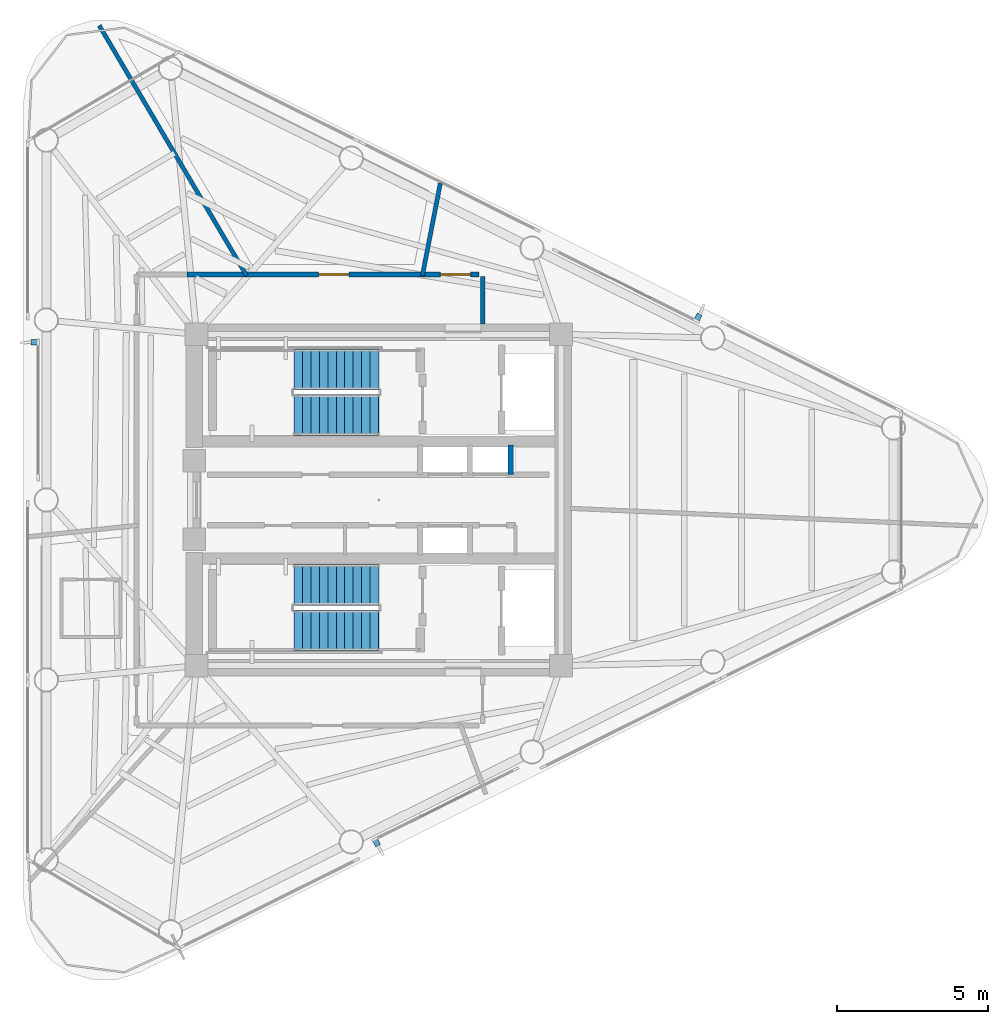
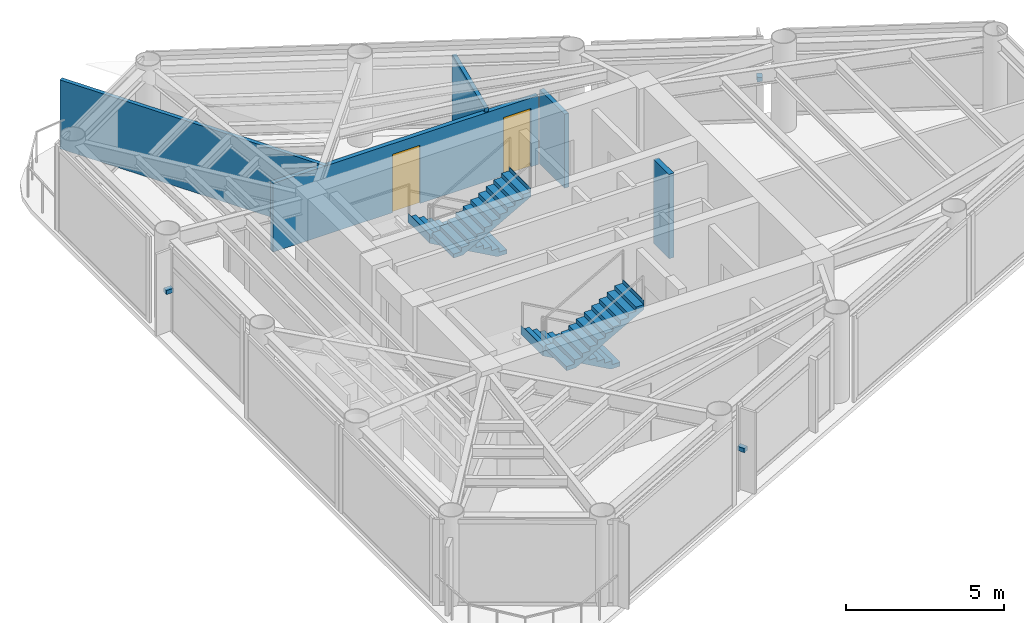
# One storey, part 6 of 10: 5 walls, 4 stair flights, 3 discrete accessories, 2 doors, 2 openings, 2 elements without a shape of their own.
"""IFC4 building model written with IfcOpenShell, lengths in metres."""

from ifc_helpers import new_model, si_unit, direction, frame, frame_2d, origin, origin_2d, place, context, subcontext, project, spatial, polyline, rectangle, outline, extrude, source, transform, mapped, material, layer, layer_set, type_object, element, fill, aggregate, save


model = new_model("IFC4")

# Units and contexts
model_context = context("Model", 3, precision=1e-05, world=origin(), true_north=direction((0.0, 1.0)))
body_context = subcontext(model_context, "Body", "Model", "MODEL_VIEW")
ifc_project = project(units=[si_unit("LENGTHUNIT", "METRE"), si_unit("AREAUNIT", "SQUARE_METRE"), si_unit("VOLUMEUNIT", "CUBIC_METRE"), si_unit("PLANEANGLEUNIT", "RADIAN"), si_unit("MASSUNIT", "GRAM", prefix="KILO")], contexts=[model_context])

# Site, building, storey
site_placement = place(None, origin())
site = spatial("IfcSite", under=ifc_project, at=site_placement, CompositionType="ELEMENT")
building_placement = place(site_placement, origin())
building = spatial("IfcBuilding", under=site, at=building_placement, Name="Yunling Apex Tower", CompositionType="ELEMENT")
storey_placement = place(building_placement, frame((0.0, 0.0, 310.550048828125)))
storey = spatial("IfcBuildingStorey", under=building, at=storey_placement, Name="L76", CompositionType="ELEMENT", Elevation=310.550048828125)

# Wall, openings, doors
ifc_material_1 = material(Name="Gypsum board acoustic partition")
ifc_layer_1 = layer(ifc_material_1, 0.159912109375)
ifc_layer_set_1 = layer_set([ifc_layer_1], Name="Gypsum board acoustic partition")
wall_type_1 = type_object("IfcWallType", Name="WL-PRT-1", PredefinedType="PARTITIONING", material=ifc_layer_set_1)
wall_1_placement = place(storey_placement, frame((-6.360107421875, 7.489990234375, 0.0), z_axis=(0.0, 0.0, 1.0), x_axis=(1.0, 0.0, 0.0)))
wall_1 = element("IfcWall", 1, at=wall_1_placement, inside=storey, type_object=wall_type_1, Name="WL-CORR-L76-03", PredefinedType="PARTITIONING", context=body_context, shape_type="SweptSolid", body=[
    extrude(rectangle(XDim=9.67919921875, YDim=0.159912109375, at=frame_2d((4.839599609375, 0.0))), origin(), (0.0, 0.0, 1.0), 2.655029296875),
])
opening_1_placement = place(wall_1_placement, frame((4.3671875, 0.0, 0.0)))
opening_1 = element("IfcOpeningElement", 2, at=opening_1_placement, cuts=wall_1, Name="Opening DR-OFF-1", PredefinedType="OPENING", context=body_context, shape_type="SweptSolid", body=[
    extrude(rectangle(XDim=1.0, YDim=2.25, at=frame_2d((0.5, 1.125))), frame((0.0, 0.08984375, 0.0), z_axis=(0.0, -1.0, 0.0), x_axis=(1.0, 0.0, 0.0)), (0.0, 0.0, 1.0), 0.179931640625),
])
opening_2_placement = place(wall_1_placement, frame((8.406005859375, 0.0, 0.0)))
opening_2 = element("IfcOpeningElement", 3, at=opening_2_placement, cuts=wall_1, Name="Opening DR-OFF-1", PredefinedType="OPENING", context=body_context, shape_type="SweptSolid", body=[
    extrude(rectangle(XDim=1.0, YDim=2.25, at=frame_2d((0.5, 1.125))), frame((0.0, 0.08984375, 0.0), z_axis=(0.0, -1.0, 0.0), x_axis=(1.0, 0.0, 0.0)), (0.0, 0.0, 1.0), 0.179931640625),
])
ifc_material_2 = material(Name="Bronze anodised aluminium", Category="aluminium")
door_type = type_object("IfcDoorType", Name="DR-OFF-1", OperationType="NOTDEFINED", PredefinedType="DOOR", material=ifc_material_2)
door_1_placement = place(opening_1_placement, origin())
door_1 = element("IfcDoor", 4, at=door_1_placement, inside=storey, type_object=door_type, Name="L76 Wellness Yoga Club Door", OperationType="SINGLE_SWING_LEFT", OverallHeight=2.25, OverallWidth=1.0, PredefinedType="DOOR", context=body_context, shape_type="SweptSolid", body=[
    extrude(rectangle(XDim=1.0, YDim=2.25, at=frame_2d((0.5, 1.125))), frame((0.0, 0.02490234375, 0.0), z_axis=(0.0, -1.0, 0.0), x_axis=(1.0, 0.0, 0.0)), (0.0, 0.0, 1.0), 0.050048828125),
])
fill(opening_1, door_1)
door_2_placement = place(opening_2_placement, origin())
door_2 = element("IfcDoor", 5, at=door_2_placement, inside=storey, type_object=door_type, Name="L76 Concierge Reception Foyer Door", OperationType="SINGLE_SWING_RIGHT", OverallHeight=2.25, OverallWidth=1.0, PredefinedType="DOOR", context=body_context, shape_type="SweptSolid", body=[
    extrude(rectangle(XDim=1.0, YDim=2.25, at=frame_2d((0.5, 1.125))), frame((0.0, 0.02490234375, 0.0), z_axis=(0.0, -1.0, 0.0), x_axis=(1.0, 0.0, 0.0)), (0.0, 0.0, 1.0), 0.050048828125),
])
fill(opening_2, door_2)

# Walls
wall_2_placement = place(storey_placement, frame((3.449951171875, 7.4248046875, 0.0), z_axis=(0.0, 0.0, 1.0), x_axis=(0.0, -1.0, 0.0)))
element("IfcWall", 6, at=wall_2_placement, inside=storey, type_object=wall_type_1, Name="WL-CORR-L76-04", PredefinedType="PARTITIONING", context=body_context, shape_type="SweptSolid", body=[
    extrude(rectangle(XDim=1.57470703125, YDim=0.159912109375, at=frame_2d((0.787353515625, 0.0))), origin(), (0.0, 0.0, 1.0), 2.85498046875),
])
ifc_layer_2 = layer(ifc_material_1, 0.139892578125)
ifc_layer_set_2 = layer_set([ifc_layer_2], Name="Gypsum board acoustic partition")
wall_type_2 = type_object("IfcWallType", Name="WL-PRT-2", PredefinedType="PARTITIONING", material=ifc_layer_set_2)
wall_3_placement = place(storey_placement, frame((1.447998046875, 7.449951171875, 0.0), z_axis=(0.0, 0.0, 1.0), x_axis=(0.190865473384, 0.981616203549, 0.0)))
element("IfcWall", 7, at=wall_3_placement, inside=storey, type_object=wall_type_2, Name="WL-RAD-L76-02", PredefinedType="PARTITIONING", context=body_context, shape_type="SweptSolid", body=[
    extrude(rectangle(XDim=3.122314453125, YDim=0.139892578125, at=frame_2d((1.56103515625, 0.0))), origin(), (0.0, 0.0, 1.0), 2.81494140625),
])
wall_4_placement = place(storey_placement, frame((-4.388427734375, 7.449951171875, 0.0), z_axis=(0.0, 0.0, 1.0), x_axis=(-0.507535081803, 0.861631093183, 0.0)))
element("IfcWall", 8, at=wall_4_placement, inside=storey, type_object=wall_type_2, Name="WL-RAD-L76-03", PredefinedType="PARTITIONING", context=body_context, shape_type="SweptSolid", body=[
    extrude(rectangle(XDim=9.632568359375, YDim=0.139892578125, at=frame_2d((4.81640625, 0.0))), origin(), (0.0, 0.0, 1.0), 2.655029296875),
])
ifc_material_3 = material(Name="Autoclaved aerated concrete masonry", Category="masonry")
ifc_layer_3 = layer(ifc_material_3, 0.179931640625)
ifc_layer_set_3 = layer_set([ifc_layer_3], Name="Autoclaved aerated concrete masonry")
wall_type_3 = type_object("IfcWallType", Name="WL-SHF-2", PredefinedType="PLUMBINGWALL", material=ifc_layer_set_3)
wall_5_placement = place(storey_placement, frame((4.3798828125, 0.840087890625, 0.0), z_axis=(0.0, 0.0, 1.0), x_axis=(0.0, 1.0, 0.0)))
element("IfcWall", 9, at=wall_5_placement, inside=storey, type_object=wall_type_3, Name="WL-END-H3E-L76", PredefinedType="PLUMBINGWALL", context=body_context, shape_type="SweptSolid", body=[
    extrude(rectangle(XDim=0.97998046875, YDim=0.179931640625, at=frame_2d((0.489990234375, 0.0))), origin(), (0.0, 0.0, 1.0), 3.25),
])

# Stair, stair flights
ifc_material_4 = material(Name="Concrete C40", Category="concrete")
stair_type = type_object("IfcStairType", Name="ST-TWR-3", PredefinedType="HALF_TURN_STAIR", material=ifc_material_4)
stair_1_placement = place(storey_placement, origin())
stair_1 = element("IfcStair", 10, at=stair_1_placement, inside=storey, type_object=stair_type, Name="L76 North Core Smokeproof Exit Stair ST-1", PredefinedType="HALF_TURN_STAIR")
stair_flight_type = type_object("IfcStairFlightType", Name="SFL-TWR-3", PredefinedType="STRAIGHT", material=ifc_material_4)
stair_flight_1_placement = place(storey_placement, frame((-0.010009765625, 4.330078125, 0.0), z_axis=(0.0, 0.0, 1.0), x_axis=(-1.0, 0.0, 0.0)))
stair_flight_1 = element("IfcStairFlight", 11, at=stair_flight_1_placement, type_object=stair_flight_type, Name="ST-1 flight 1", NumberOfRisers=11, NumberOfTreads=10, PredefinedType="STRAIGHT", RiserHeight=0.156818182, TreadLength=0.28, context=body_context, shape_type="SweptSolid", body=[
    extrude(outline(polyline([(-0.011962890625, 0.0), (-0.011962890625, 0.15673828125), (0.0, 0.15673828125), (0.280029296875, 0.15673828125), (0.280029296875, 0.313720703125), (0.56005859375, 0.313720703125), (0.56005859375, 0.470458984375), (0.840087890625, 0.470458984375), (0.840087890625, 0.627197265625), (1.1201171875, 0.627197265625), (1.1201171875, 0.7841796875), (1.39990234375, 0.7841796875), (1.39990234375, 0.94091796875), (1.679931640625, 0.94091796875), (1.679931640625, 1.09765625), (1.9599609375, 1.09765625), (1.9599609375, 1.254638671875), (2.239990234375, 1.254638671875), (2.239990234375, 1.411376953125), (2.52001953125, 1.411376953125), (2.52001953125, 1.568115234375), (2.800048828125, 1.568115234375), (2.800048828125, 1.72509765625), (2.81201171875, 1.72509765625), (2.81201171875, 1.385009765625), (0.3271484375, 0.0), (-0.011962890625, 0.0)])), frame((0.0, 0.68017578125, 0.0), z_axis=(0.0, -1.0, 0.0), x_axis=(1.0, 0.0, 0.0)), (0.0, 0.0, 1.0), 1.360107421875),
])
stair_flight_2_placement = place(storey_placement, frame((-2.81005859375, 2.820068359375, 1.724853515625), z_axis=(0.0, 0.0, 1.0), x_axis=(1.0, 0.0, 0.0)))
stair_flight_2 = element("IfcStairFlight", 12, at=stair_flight_2_placement, type_object=stair_flight_type, Name="ST-1 flight 2", NumberOfRisers=11, NumberOfTreads=10, PredefinedType="STRAIGHT", RiserHeight=0.156818182, TreadLength=0.28, context=body_context, shape_type="SweptSolid", body=[
    extrude(outline(polyline([(-0.011962890625, 0.0), (-0.011962890625, 0.15673828125), (0.0, 0.15673828125), (0.280029296875, 0.15673828125), (0.280029296875, 0.313720703125), (0.56005859375, 0.313720703125), (0.56005859375, 0.470458984375), (0.840087890625, 0.470458984375), (0.840087890625, 0.627197265625), (1.1201171875, 0.627197265625), (1.1201171875, 0.7841796875), (1.39990234375, 0.7841796875), (1.39990234375, 0.94091796875), (1.679931640625, 0.94091796875), (1.679931640625, 1.09765625), (1.9599609375, 1.09765625), (1.9599609375, 1.254638671875), (2.239990234375, 1.254638671875), (2.239990234375, 1.411376953125), (2.52001953125, 1.411376953125), (2.52001953125, 1.568115234375), (2.800048828125, 1.568115234375), (2.800048828125, 1.72509765625), (2.81201171875, 1.72509765625), (2.81201171875, 1.385009765625), (0.3271484375, 0.0), (-0.011962890625, 0.0)])), frame((0.0, 0.68017578125, 0.0), z_axis=(0.0, -1.0, 0.0), x_axis=(1.0, 0.0, 0.0)), (0.0, 0.0, 1.0), 1.360107421875),
])
aggregate(stair_1, [stair_flight_1, stair_flight_2])

stair_2_placement = place(storey_placement, origin())
stair_2 = element("IfcStair", 13, at=stair_2_placement, inside=storey, type_object=stair_type, Name="L76 South Core Smokeproof Exit Stair ST-2", PredefinedType="HALF_TURN_STAIR")
stair_flight_3_placement = place(storey_placement, frame((-0.010009765625, -2.820068359375, 0.0), z_axis=(0.0, 0.0, 1.0), x_axis=(-1.0, 0.0, 0.0)))
stair_flight_3 = element("IfcStairFlight", 14, at=stair_flight_3_placement, type_object=stair_flight_type, Name="ST-2 flight 1", NumberOfRisers=11, NumberOfTreads=10, PredefinedType="STRAIGHT", RiserHeight=0.156818182, TreadLength=0.28, context=body_context, shape_type="SweptSolid", body=[
    extrude(outline(polyline([(-0.011962890625, 0.0), (-0.011962890625, 0.15673828125), (0.0, 0.15673828125), (0.280029296875, 0.15673828125), (0.280029296875, 0.313720703125), (0.56005859375, 0.313720703125), (0.56005859375, 0.470458984375), (0.840087890625, 0.470458984375), (0.840087890625, 0.627197265625), (1.1201171875, 0.627197265625), (1.1201171875, 0.7841796875), (1.39990234375, 0.7841796875), (1.39990234375, 0.94091796875), (1.679931640625, 0.94091796875), (1.679931640625, 1.09765625), (1.9599609375, 1.09765625), (1.9599609375, 1.254638671875), (2.239990234375, 1.254638671875), (2.239990234375, 1.411376953125), (2.52001953125, 1.411376953125), (2.52001953125, 1.568115234375), (2.800048828125, 1.568115234375), (2.800048828125, 1.72509765625), (2.81201171875, 1.72509765625), (2.81201171875, 1.385009765625), (0.3271484375, 0.0), (-0.011962890625, 0.0)])), frame((0.0, 0.68017578125, 0.0), z_axis=(0.0, -1.0, 0.0), x_axis=(1.0, 0.0, 0.0)), (0.0, 0.0, 1.0), 1.360107421875),
])
stair_flight_4_placement = place(storey_placement, frame((-2.81005859375, -4.330078125, 1.724853515625), z_axis=(0.0, 0.0, 1.0), x_axis=(1.0, 0.0, 0.0)))
stair_flight_4 = element("IfcStairFlight", 15, at=stair_flight_4_placement, type_object=stair_flight_type, Name="ST-2 flight 2", NumberOfRisers=11, NumberOfTreads=10, PredefinedType="STRAIGHT", RiserHeight=0.156818182, TreadLength=0.28, context=body_context, shape_type="SweptSolid", body=[
    extrude(outline(polyline([(-0.011962890625, 0.0), (-0.011962890625, 0.15673828125), (0.0, 0.15673828125), (0.280029296875, 0.15673828125), (0.280029296875, 0.313720703125), (0.56005859375, 0.313720703125), (0.56005859375, 0.470458984375), (0.840087890625, 0.470458984375), (0.840087890625, 0.627197265625), (1.1201171875, 0.627197265625), (1.1201171875, 0.7841796875), (1.39990234375, 0.7841796875), (1.39990234375, 0.94091796875), (1.679931640625, 0.94091796875), (1.679931640625, 1.09765625), (1.9599609375, 1.09765625), (1.9599609375, 1.254638671875), (2.239990234375, 1.254638671875), (2.239990234375, 1.411376953125), (2.52001953125, 1.411376953125), (2.52001953125, 1.568115234375), (2.800048828125, 1.568115234375), (2.800048828125, 1.72509765625), (2.81201171875, 1.72509765625), (2.81201171875, 1.385009765625), (0.3271484375, 0.0), (-0.011962890625, 0.0)])), frame((0.0, 0.68017578125, 0.0), z_axis=(0.0, -1.0, 0.0), x_axis=(1.0, 0.0, 0.0)), (0.0, 0.0, 1.0), 1.360107421875),
])
aggregate(stair_2, [stair_flight_3, stair_flight_4])

# Discrete accessories
ifc_material_5 = material(Name="Steel Q355B", Category="steel")
discrete_accessory_type = type_object("IfcDiscreteAccessoryType", Name="BK-FIN-1", PredefinedType="BRACKET", material=ifc_material_5)
shared_shape = source(origin(), body_context, "Body", "SweptSolid", [
    extrude(rectangle(XDim=0.179931640625, YDim=0.260009765625, at=origin_2d()), origin(), (0.0, 0.0, 1.0), 0.159912109375),
])
for number, where, z_axis, x_axis, name in (
    (16, (-0.08203125, -11.361083984375, 1.55517578125), (0.0, 0.0, 1.0), (0.895245648325, 0.445572922377, 0.0), "CW-L76-F1-B2-BRK-01-1"),
    (17, (10.59326171875, 6.047607421875, 1.55517578125), (0.0, 0.0, 1.0), (-0.895245648325, 0.445572922377, 0.0), "CW-L76-F2-B2-BRK-01-1"),
    (18, (-11.417236328125, 5.232666015625, 1.55517578125), (0.0, 0.0, 1.0), (0.0, -1.0, 0.0), "CW-L76-F3-B2-BRK-01-1"),
):
    element("IfcDiscreteAccessory", number, at=place(storey_placement, frame(where, z_axis=z_axis, x_axis=x_axis)), inside=storey, type_object=discrete_accessory_type, Name=name, PredefinedType="BRACKET", context=body_context, shape_type="MappedRepresentation", body=[
        mapped(shared_shape, transform((0.0, 0.0, 0.0), scale=1.0)),
    ])

save(model, "model.ifc")
